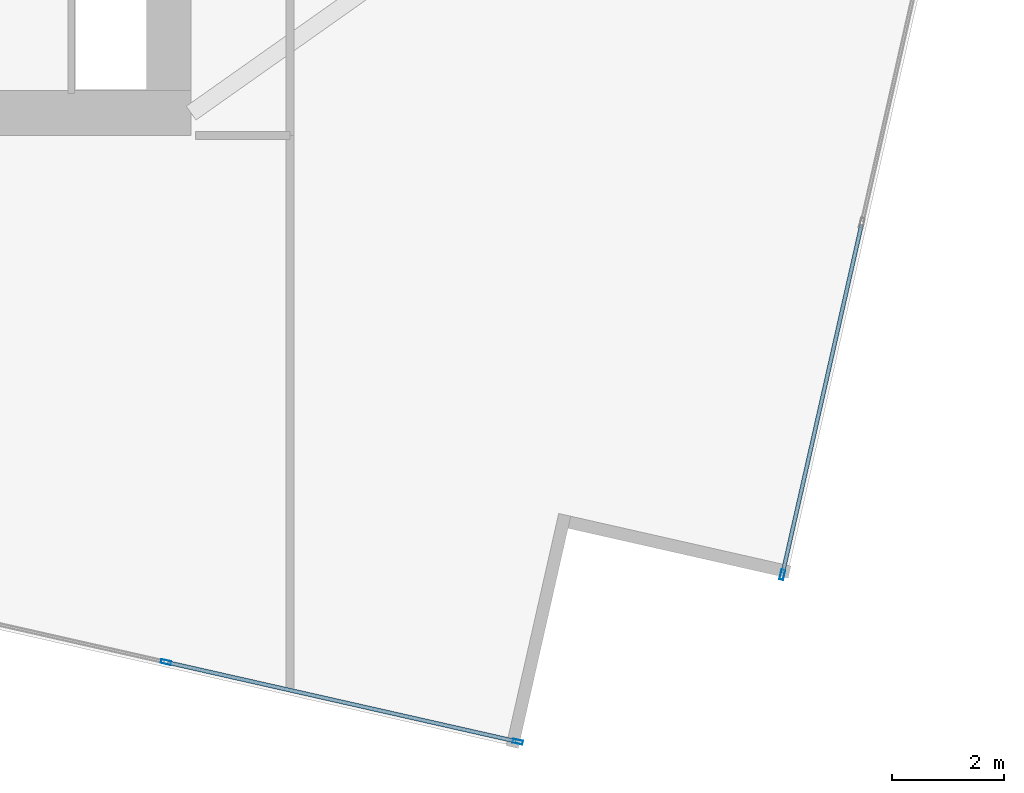
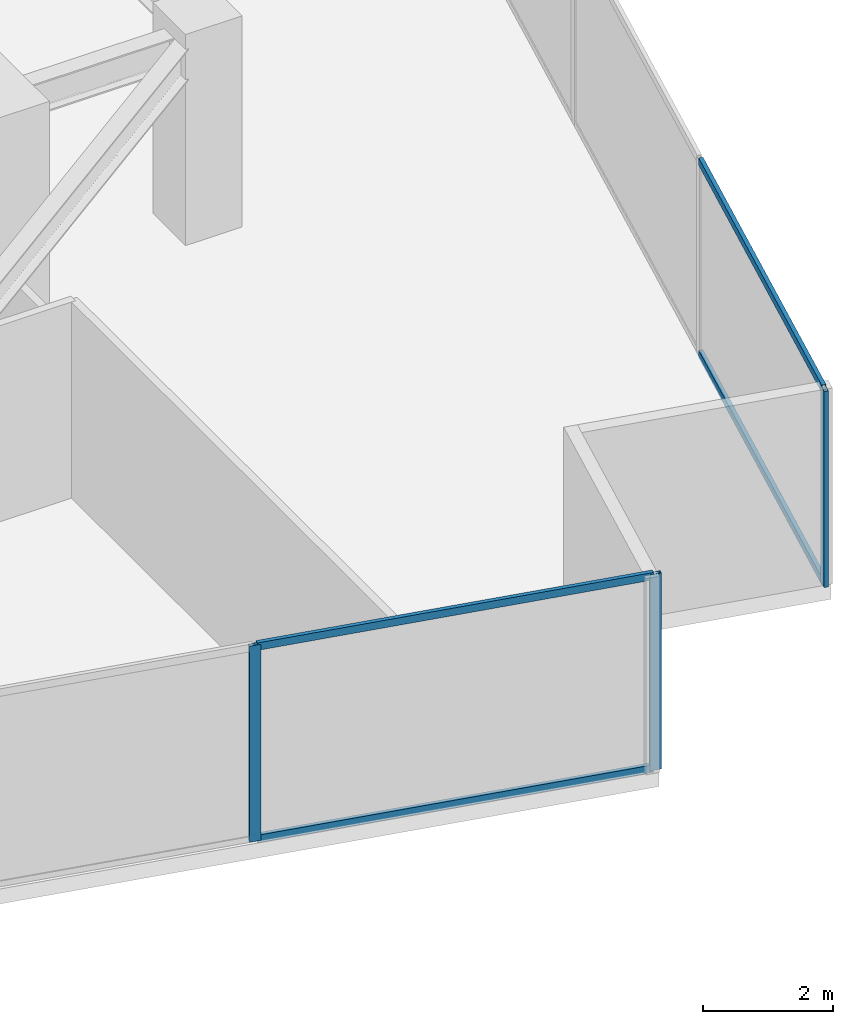
# One storey, part 10 of 26: 7 members, 2 elements without a shape of their own.
"""IFC4 building model written with IfcOpenShell, lengths in metres."""

import ifcopenshell
import ifcopenshell.guid

model = None  # the IFC model being written
_history = None  # IfcOwnerHistory: only IFC2X3 demands one
_inside = {}  # id of a spatial element -> (the spatial element, [elements in it])
_under = {}  # id of a project, library or spatial element -> (it, [spatial elements below it])
_declared = {}  # id of a project -> (the project, [libraries it declares])
_typed = {}  # id of a type object -> (the type object, [elements of that type])
_made_of = {}  # id of a material, layer set ... -> (it, [elements and type objects made of it])


def new_model(schema):
    """Start an empty IFC model of exactly this schema.

    Asked for "IFC4X3", IfcOpenShell would pick the latest addendum, in which some entities
    have other attributes; the version numbers below select the first issue.
    IFC2X3 requires an IfcOwnerHistory on every rooted entity: one is made here for all.
    """
    global model, _history
    if schema == "IFC4X3":
        model = ifcopenshell.file(schema_version=(4, 3, 0, 0))
    else:
        model = ifcopenshell.file(schema=schema)
    _inside.clear()
    _under.clear()
    _declared.clear()
    _typed.clear()
    _made_of.clear()
    _history = None
    if model.schema == "IFC2X3":
        org = make("IfcOrganization", Name="unknown")
        user = make(
            "IfcPersonAndOrganization",
            ThePerson=make("IfcPerson", FamilyName="unknown"),
            TheOrganization=org,
        )
        app = make(
            "IfcApplication",
            ApplicationDeveloper=org,
            Version="unknown",
            ApplicationFullName="unknown",
            ApplicationIdentifier="unknown",
        )
        _history = make(
            "IfcOwnerHistory",
            OwningUser=user,
            OwningApplication=app,
            ChangeAction="ADDED",
            CreationDate=0,
        )
    return model


def make(cls, **values):
    """One entity of the class cls with the attributes given. An attribute that is None is left unset."""
    return model.create_entity(
        cls, **{name: value for name, value in values.items() if value is not None}
    )


def rooted(cls, **values):
    """An entity with a GlobalId (a new one), such as an element, a storey or a relation."""
    return make(cls, GlobalId=ifcopenshell.guid.new(), OwnerHistory=_history, **values)


def si_unit(unit_type, name, prefix=None):
    """IfcSIUnit, for example si_unit("LENGTHUNIT", "METRE", prefix="MILLI")."""
    return make("IfcSIUnit", UnitType=unit_type, Prefix=prefix, Name=name)


def assignment(units):
    """IfcUnitAssignment: the units of a project."""
    return None if units is None else make("IfcUnitAssignment", Units=units)


def point(xyz):
    """IfcCartesianPoint."""
    return None if xyz is None else make("IfcCartesianPoint", Coordinates=xyz)


def direction(xyz):
    """IfcDirection."""
    return None if xyz is None else make("IfcDirection", DirectionRatios=xyz)


def frame(location, z_axis=None, x_axis=None):
    """IfcAxis2Placement3D, a coordinate frame: its origin and axes. An axis left out is left unset."""
    return make(
        "IfcAxis2Placement3D",
        Location=point(location),
        Axis=direction(z_axis),
        RefDirection=direction(x_axis),
    )


def frame_2d(location, x_axis=None):
    """IfcAxis2Placement2D, a coordinate frame in the plane: its origin and x axis."""
    return make(
        "IfcAxis2Placement2D", Location=point(location), RefDirection=direction(x_axis)
    )


def origin():
    """The frame at (0, 0, 0) with its axes left unset."""
    return frame((0.0, 0.0, 0.0))


def origin_2d():
    """The frame at (0, 0) in the plane with its x axis left unset."""
    return frame_2d((0.0, 0.0))


def place(relative_to, where):
    """IfcLocalPlacement: puts the frame where relative to a parent placement (None: the world)."""
    return make(
        "IfcLocalPlacement", PlacementRelTo=relative_to, RelativePlacement=where
    )


def context(
    kind, dimensions, precision=None, world=None, true_north=None, identifier=None
):
    """IfcGeometricRepresentationContext, for example the 3D "Model" context."""
    return make(
        "IfcGeometricRepresentationContext",
        ContextIdentifier=identifier,
        ContextType=kind,
        CoordinateSpaceDimension=dimensions,
        Precision=precision,
        WorldCoordinateSystem=world,
        TrueNorth=true_north,
    )


def subcontext(parent, identifier, kind, view, scale=None):
    """IfcGeometricRepresentationSubContext, for example "Body" below "Model"."""
    return make(
        "IfcGeometricRepresentationSubContext",
        ContextIdentifier=identifier,
        ContextType=kind,
        ParentContext=parent,
        TargetScale=scale,
        TargetView=view,
    )


def project(units=None, contexts=None):
    """IfcProject with its units and contexts."""
    return rooted(
        "IfcProject",
        Name="project",
        RepresentationContexts=contexts,
        UnitsInContext=assignment(units),
    )


def spatial(cls, under=None, at=None, **own):
    """A site, building, storey or space (cls), placed at a placement, below another one or the project."""
    s = rooted(cls, ObjectPlacement=at, **own)
    if under is not None:
        _under.setdefault(under.id(), (under, []))[1].append(s)
    return s


def profile(cls, at=None, kind="AREA", **sizes):
    """A parametric profile (cls). Its sizes go by their IFC names, for example OverallWidth=200.0."""
    return make(cls, ProfileType=kind, Position=at, **sizes)


def hollow_rectangle(**sizes):
    """IfcRectangleHollowProfileDef."""
    return profile("IfcRectangleHollowProfileDef", **sizes)


def extrude(swept, where, along, depth):
    """IfcExtrudedAreaSolid: the profile swept, set in the frame where, extruded along a direction by depth."""
    return make(
        "IfcExtrudedAreaSolid",
        SweptArea=swept,
        Position=where,
        ExtrudedDirection=direction(along),
        Depth=depth,
    )


def shape(context_of_items, identifier, shape_type, items):
    """IfcShapeRepresentation: the items that make up one representation, for example the "Body"."""
    return make(
        "IfcShapeRepresentation",
        ContextOfItems=context_of_items,
        RepresentationIdentifier=identifier,
        RepresentationType=shape_type,
        Items=items,
    )


def source(mapping_origin, context_of_items, identifier, shape_type, items):
    """IfcRepresentationMap: a shape defined once, which mapped items show again and again."""
    return make(
        "IfcRepresentationMap",
        MappingOrigin=mapping_origin,
        MappedRepresentation=shape(context_of_items, identifier, shape_type, items),
    )


def transform(
    local_origin,
    x_axis=None,
    y_axis=None,
    z_axis=None,
    scale=None,
    scale2=None,
    scale3=None,
    uniform=True,
):
    """IfcCartesianTransformationOperator3D, or its non-uniform kind. x_axis, y_axis, z_axis: its Axis1, 2, 3."""
    if uniform:
        return make(
            "IfcCartesianTransformationOperator3D",
            Axis1=direction(x_axis),
            Axis2=direction(y_axis),
            LocalOrigin=point(local_origin),
            Scale=scale,
            Axis3=direction(z_axis),
        )
    return make(
        "IfcCartesianTransformationOperator3DnonUniform",
        Axis1=direction(x_axis),
        Axis2=direction(y_axis),
        LocalOrigin=point(local_origin),
        Scale=scale,
        Axis3=direction(z_axis),
        Scale2=scale2,
        Scale3=scale3,
    )


def mapped(mapping_source, mapping_target):
    """IfcMappedItem: shows the shape of a source again, moved by a transform."""
    return make(
        "IfcMappedItem", MappingSource=mapping_source, MappingTarget=mapping_target
    )


def material(Name=None, Category=None):
    """IfcMaterial."""
    return make("IfcMaterial", Name=Name, Category=Category)


def material_profile(
    of_material, cross_section, Name=None, Category=None, Priority=None
):
    """IfcMaterialProfile: a cross section and its material."""
    return make(
        "IfcMaterialProfile",
        Name=Name,
        Material=of_material,
        Profile=cross_section,
        Priority=Priority,
        Category=Category,
    )


def profile_set(profiles, Name=None, composite=None):
    """IfcMaterialProfileSet."""
    return make(
        "IfcMaterialProfileSet",
        Name=Name,
        MaterialProfiles=profiles,
        CompositeProfile=composite,
    )


def made_of(thing, what):
    """Note that an element or type object is made of a material, layer set ...; save() writes the relation."""
    if what is not None:
        _made_of.setdefault(what.id(), (what, []))[1].append(thing)
    return thing


def type_object(cls, material=None, **own):
    """A type object (cls), such as IfcWallType, which elements share."""
    return made_of(rooted(cls, **own), material)


def type_shapes(of_type, sources):
    """Give a type object the sources (RepresentationMaps) that its elements show as mapped items."""
    of_type.RepresentationMaps = sources


def element(
    cls,
    number,
    at=None,
    inside=None,
    cuts=None,
    type_object=None,
    material=None,
    context=None,
    identifier="Body",
    shape_type=None,
    held_by="IfcProductDefinitionShape",
    body=None,
    shapes=None,
    **own,
):
    """One element of the class cls, such as IfcWall. Its Tag is "e" and its number.

    at: its placement. inside: the storey or other place that contains it. cuts: it is an
    opening in that element (IfcRelVoidsElement). A single representation is given by context,
    identifier, shape_type and body (its items); several are given by shapes. held_by: the class
    of the entity that holds the representations. save() writes the other relations.
    """
    e = rooted(cls, Tag="e%d" % number, ObjectPlacement=at, **own)
    if body is not None:
        shapes = [shape(context, identifier, shape_type, body)]
    if shapes is not None:
        e.Representation = make(held_by, Representations=shapes)
    if inside is not None:
        _inside.setdefault(inside.id(), (inside, []))[1].append(e)
    if cuts is not None:
        rooted(
            "IfcRelVoidsElement", RelatingBuildingElement=cuts, RelatedOpeningElement=e
        )
    if type_object is not None:
        _typed.setdefault(type_object.id(), (type_object, []))[1].append(e)
    return made_of(e, material)


def aggregate(whole, parts):
    """IfcRelAggregates: a whole, such as a stair, and the parts it consists of."""
    return rooted("IfcRelAggregates", RelatingObject=whole, RelatedObjects=parts)


def save(model, path):
    """Write the relations noted so far, then the file.

    IfcRelAggregates (storeys below a building ...), IfcRelContainedInSpatialStructure (elements
    in a storey), IfcRelDefinesByType, IfcRelAssociatesMaterial and IfcRelDeclares: one each for
    every whole, place, type object, material and project.
    """
    for whole, parts in _under.values():
        aggregate(whole, parts)
    for where, things in _inside.values():
        rooted(
            "IfcRelContainedInSpatialStructure",
            RelatedElements=things,
            RelatingStructure=where,
        )
    for kind, things in _typed.values():
        rooted("IfcRelDefinesByType", RelatedObjects=things, RelatingType=kind)
    for what, things in _made_of.values():
        rooted("IfcRelAssociatesMaterial", RelatedObjects=things, RelatingMaterial=what)
    for by, libraries in _declared.values():
        rooted("IfcRelDeclares", RelatingContext=by, RelatedDefinitions=libraries)
    model.write(path)


model = new_model("IFC4")

# Units and contexts
model_context = context("Model", 3, precision=1e-05, world=origin(), true_north=direction((0.0, 1.0)))
body_context = subcontext(model_context, "Body", "Model", "MODEL_VIEW")
ifc_project = project(units=[si_unit("LENGTHUNIT", "METRE"), si_unit("AREAUNIT", "SQUARE_METRE"), si_unit("VOLUMEUNIT", "CUBIC_METRE"), si_unit("PLANEANGLEUNIT", "RADIAN"), si_unit("MASSUNIT", "GRAM", prefix="KILO")], contexts=[model_context])

# Site, building, storey
site_placement = place(None, origin())
site = spatial("IfcSite", under=ifc_project, at=site_placement, CompositionType="ELEMENT")
building_placement = place(site_placement, origin())
building = spatial("IfcBuilding", under=site, at=building_placement, Name="Krantzveldt Concourse Tower", CompositionType="ELEMENT")
storey_placement = place(building_placement, frame((0.0, 0.0, 94.0)))
storey = spatial("IfcBuildingStorey", under=building, at=storey_placement, Name="L22", CompositionType="ELEMENT", Elevation=94.0)

# Curtain wall, members
ifc_material = material(Name="Anodised aluminium 6063-T6", Category="aluminium")
curtain_wall_type = type_object("IfcCurtainWallType", Name="CW2", PredefinedType="USERDEFINED", material=ifc_material)
curtain_wall_1_placement = place(storey_placement, origin())
curtain_wall_1 = element("IfcCurtainWall", 1, at=curtain_wall_1_placement, inside=storey, type_object=curtain_wall_type, Name="CW-L22-F04", ObjectType="UNITISED CURTAIN WALL", PredefinedType="USERDEFINED")
ifc_material_profile_1 = material_profile(ifc_material, hollow_rectangle(XDim=0.070068359375, YDim=0.179931640625, WallThickness=0.0048828125, at=origin_2d()), Name="Anodised aluminium 6063-T6", Category="aluminium")
ifc_profile_set_1 = profile_set([ifc_material_profile_1], Name="Anodised aluminium 6063-T6 - ALU-MULL 180x70x5")
member_type_1 = type_object("IfcMemberType", Name="CW-MUL-180", PredefinedType="MULLION", material=ifc_profile_set_1)
shared_shape_1 = source(origin(), body_context, "Body", "SweptSolid", [
    extrude(hollow_rectangle(XDim=0.070068359375, YDim=0.179931640625, WallThickness=0.0048828125, at=origin_2d()), origin(), (0.0, 0.0, 1.0), 3.669921875),
])
type_shapes(member_type_1, [shared_shape_1])
member_1_placement = place(storey_placement, frame((43.469970703125, 1.1103515625, 0.0), z_axis=(0.0, 0.0, 1.0), x_axis=(0.220697434579, 0.975342320609, 0.0)))
member_1 = element("IfcMember", 2, at=member_1_placement, type_object=member_type_1, Name="CW-Z12 mullion 6", PredefinedType="MULLION", context=body_context, shape_type="MappedRepresentation", body=[
    mapped(shared_shape_1, transform((0.0, 0.0, 0.0), x_axis=(1.0, 0.0, 0.0), y_axis=(0.0, 1.0, 0.0), z_axis=(0.0, 0.0, 1.0), scale=1.0)),
])
member_2_placement = place(storey_placement, frame((49.7431640625, -0.30908203125, 0.0), z_axis=(0.0, 0.0, 1.0), x_axis=(0.220697434579, 0.975342320609, 0.0)))
member_2 = element("IfcMember", 3, at=member_2_placement, type_object=member_type_1, Name="CW-Z12 mullion 7", PredefinedType="MULLION", context=body_context, shape_type="MappedRepresentation", body=[
    mapped(shared_shape_1, transform((0.0, 0.0, 0.0), x_axis=(1.0, 0.0, 0.0), y_axis=(0.0, 1.0, 0.0), z_axis=(0.0, 0.0, 1.0), scale=1.0)),
])

curtain_wall_2_placement = place(storey_placement, origin())
curtain_wall_2 = element("IfcCurtainWall", 4, at=curtain_wall_2_placement, inside=storey, type_object=curtain_wall_type, Name="CW-L22-F07", ObjectType="UNITISED CURTAIN WALL", PredefinedType="USERDEFINED")
member_3_placement = place(storey_placement, frame((54.46142578125, 2.66796875, 0.0), z_axis=(0.0, 0.0, 1.0), x_axis=(-0.975342320609, 0.220697434579, 0.0)))
member_3 = element("IfcMember", 5, at=member_3_placement, type_object=member_type_1, Name="CW-Z12 mullion 1", PredefinedType="MULLION", context=body_context, shape_type="MappedRepresentation", body=[
    mapped(shared_shape_1, transform((0.0, 0.0, 0.0), x_axis=(1.0, 0.0, 0.0), y_axis=(0.0, 1.0, 0.0), z_axis=(0.0, 0.0, 1.0), scale=1.0)),
])
ifc_material_profile_2 = material_profile(ifc_material, hollow_rectangle(XDim=0.070068359375, YDim=0.139892578125, WallThickness=0.0048828125, at=origin_2d()), Name="Anodised aluminium 6063-T6", Category="aluminium")
ifc_profile_set_2 = profile_set([ifc_material_profile_2], Name="Anodised aluminium 6063-T6 - ALU-TRAN 140x70x5")
member_type_2 = type_object("IfcMemberType", Name="CW-TRN-150", PredefinedType="USERDEFINED", material=ifc_profile_set_2)
shared_shape_2 = source(origin(), body_context, "Body", "SweptSolid", [
    extrude(hollow_rectangle(XDim=0.070068359375, YDim=0.139892578125, WallThickness=0.0048828125, at=origin_2d()), origin(), (0.0, 0.0, 1.0), 6.361572265625),
])
member_4_placement = place(storey_placement, frame((54.46923828125, 2.7021484375, 0.034912109375), z_axis=(0.220667229594, 0.975349154807, 0.0), x_axis=(-0.975349154807, 0.220667229594, 0.0)))
member_4 = element("IfcMember", 6, at=member_4_placement, type_object=member_type_2, Name="CW-Z12 transom 1.1", ObjectType="TRANSOM", PredefinedType="USERDEFINED", context=body_context, shape_type="MappedRepresentation", body=[
    mapped(shared_shape_2, transform((0.0, 0.0, 0.0), x_axis=(1.0, 0.0, 0.0), y_axis=(0.0, 1.0, 0.0), z_axis=(0.0, 0.0, 1.0), scale=1.0)),
])
member_5_placement = place(storey_placement, frame((54.46923828125, 2.7021484375, 3.635009765625), z_axis=(0.220667229594, 0.975349154807, 0.0), x_axis=(-0.975349154807, 0.220667229594, 0.0)))
member_5 = element("IfcMember", 7, at=member_5_placement, type_object=member_type_2, Name="CW-Z12 transom 1.2", ObjectType="TRANSOM", PredefinedType="USERDEFINED", context=body_context, shape_type="MappedRepresentation", body=[
    mapped(shared_shape_2, transform((0.0, 0.0, 0.0), x_axis=(1.0, 0.0, 0.0), y_axis=(0.0, 1.0, 0.0), z_axis=(0.0, 0.0, 1.0), scale=1.0)),
])
aggregate(curtain_wall_2, [member_3, member_4, member_5])

# Member
shared_shape_3 = source(origin(), body_context, "Body", "SweptSolid", [
    extrude(hollow_rectangle(XDim=0.070068359375, YDim=0.139892578125, WallThickness=0.0048828125, at=origin_2d()), origin(), (0.0, 0.0, 1.0), 6.36181640625),
])
type_shapes(member_type_2, [shared_shape_2, shared_shape_3])
member_6_placement = place(storey_placement, frame((43.504150390625, 1.102783203125, 0.034912109375), z_axis=(0.975340894424, -0.220703737314, 0.0), x_axis=(0.220703737314, 0.975340894424, 0.0)))
member_6 = element("IfcMember", 8, at=member_6_placement, type_object=member_type_2, Name="CW-Z12 transom 6.1", ObjectType="TRANSOM", PredefinedType="USERDEFINED", context=body_context, shape_type="MappedRepresentation", body=[
    mapped(shared_shape_3, transform((0.0, 0.0, 0.0), x_axis=(1.0, 0.0, 0.0), y_axis=(0.0, 1.0, 0.0), z_axis=(0.0, 0.0, 1.0), scale=1.0)),
])

member_7_placement = place(storey_placement, frame((43.504150390625, 1.102783203125, 3.635009765625), z_axis=(0.975340894424, -0.220703737314, 0.0), x_axis=(0.220703737314, 0.975340894424, 0.0)))
member_7 = element("IfcMember", 9, at=member_7_placement, type_object=member_type_2, Name="CW-Z12 transom 6.2", ObjectType="TRANSOM", PredefinedType="USERDEFINED", context=body_context, shape_type="MappedRepresentation", body=[
    mapped(shared_shape_3, transform((0.0, 0.0, 0.0), x_axis=(1.0, 0.0, 0.0), y_axis=(0.0, 1.0, 0.0), z_axis=(0.0, 0.0, 1.0), scale=1.0)),
])

aggregate(curtain_wall_1, [member_1, member_2, member_6, member_7])

save(model, "model.ifc")
